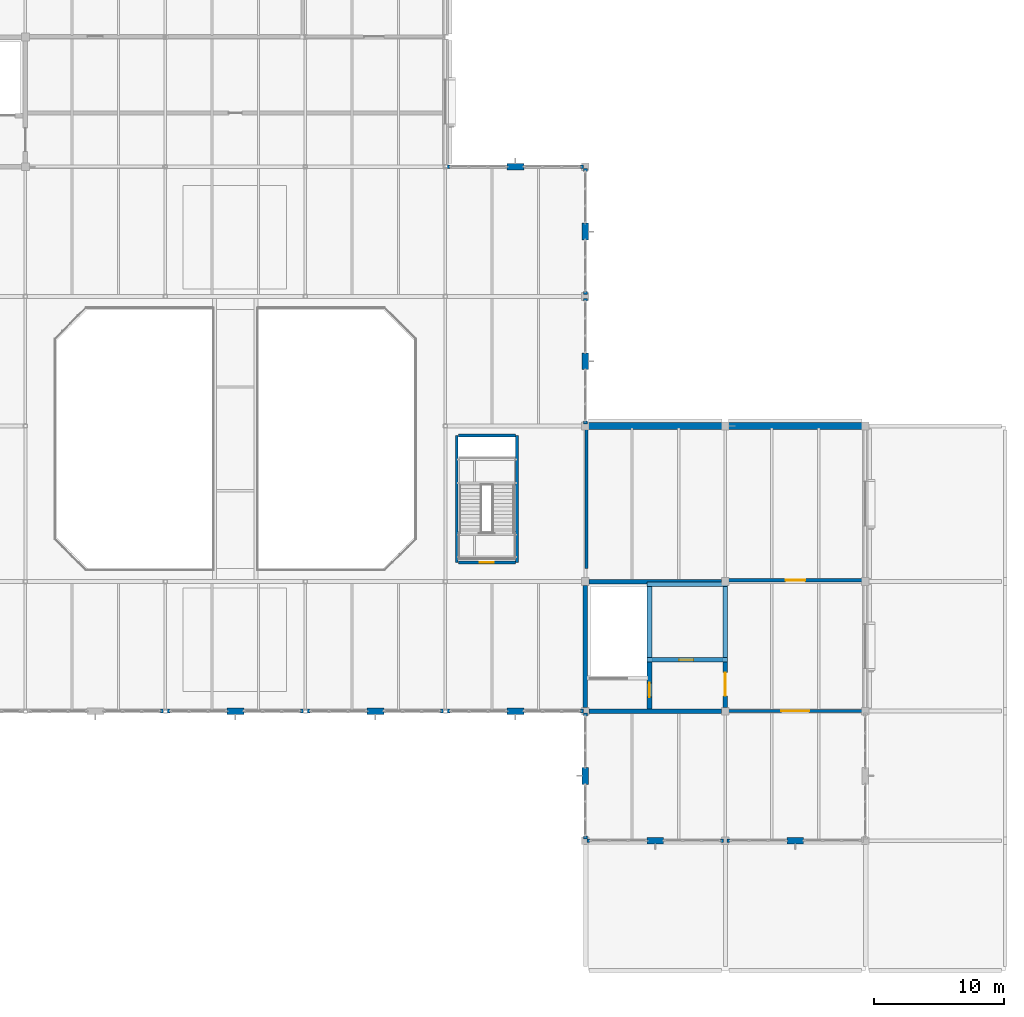
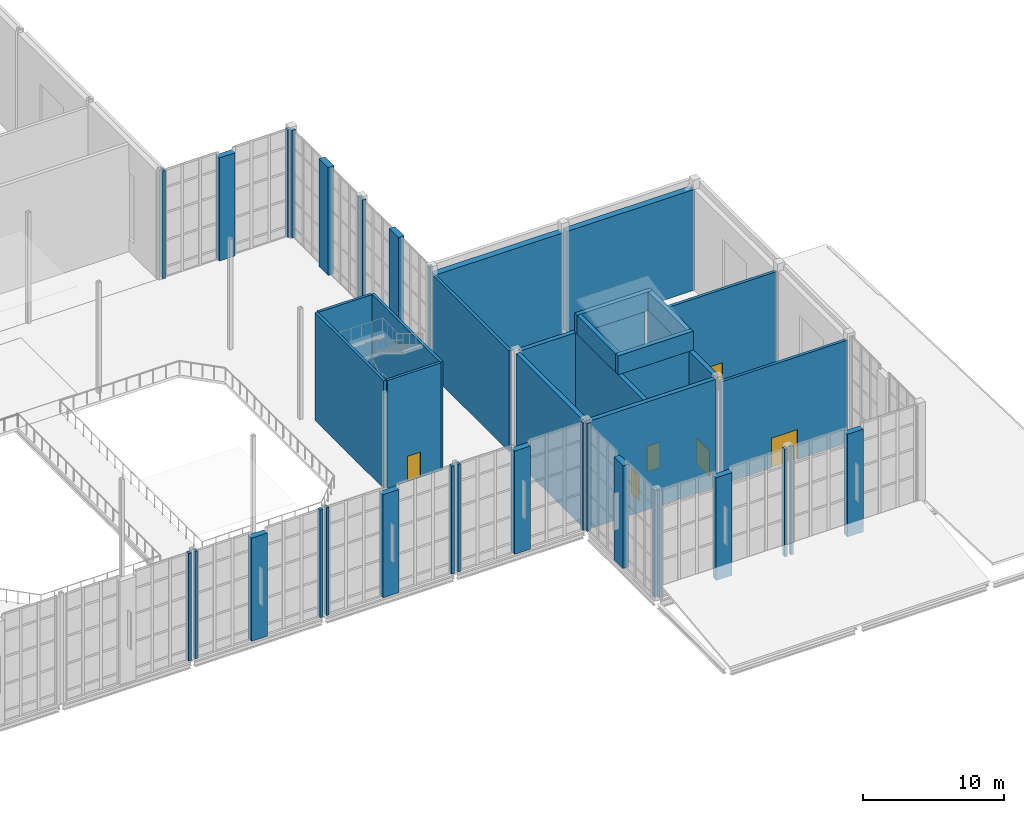
# One storey, part 86 of 100: 46 walls, 6 doors, 6 openings.
"""IFC4 building model written with IfcOpenShell, lengths in metres."""

from ifc_helpers import new_model, si_unit, direction, frame, frame_2d, origin, place, context, subcontext, project, spatial, rectangle, extrude, material, layer, layer_set, type_object, element, fill, save


model = new_model("IFC4")

# Units and contexts
model_context = context("Model", 3, precision=1e-05, world=origin(), true_north=direction((0.0, 1.0)))
body_context = subcontext(model_context, "Body", "Model", "MODEL_VIEW")
ifc_project = project(units=[si_unit("LENGTHUNIT", "METRE"), si_unit("AREAUNIT", "SQUARE_METRE"), si_unit("VOLUMEUNIT", "CUBIC_METRE"), si_unit("PLANEANGLEUNIT", "RADIAN"), si_unit("MASSUNIT", "GRAM", prefix="KILO")], contexts=[model_context])

# Site, building, storey
site_placement = place(None, origin())
site = spatial("IfcSite", under=ifc_project, at=site_placement, CompositionType="ELEMENT")
building_placement = place(site_placement, origin())
building = spatial("IfcBuilding", under=site, at=building_placement, Name="Tasgan Crest Museum", CompositionType="ELEMENT")
storey_placement = place(building_placement, frame((0.0, 0.0, 14.39990234375)))
storey = spatial("IfcBuildingStorey", under=building, at=storey_placement, Name="L03", CompositionType="ELEMENT", Elevation=14.39990234375)

# Walls
ifc_material_1 = material(Name="Concrete C40/50", Category="concrete")
ifc_layer_1 = layer(ifc_material_1, 0.35009765625, Name="WL-CORE-350")
ifc_layer_set_1 = layer_set([ifc_layer_1], Name="Concrete C40/50")
wall_type_1 = type_object("IfcWallType", Name="WL-CORE-350", PredefinedType="SHEAR", material=ifc_layer_set_1)
for number, where, z_axis, x_axis, name in (
    (1, (108.300048828125, 40.0, 0.0), (0.0, 0.0, 1.0), (1.0, 0.0, 0.0), "East Conservation Core south shear wall L03"),
    (2, (108.300048828125, 50.0, 0.0), (0.0, 0.0, 1.0), (1.0, 0.0, 0.0), "East Conservation Core north shear wall L03"),
):
    element("IfcWall", number, at=place(storey_placement, frame(where, z_axis=z_axis, x_axis=x_axis)), inside=storey, type_object=wall_type_1, Name=name, PredefinedType="SHEAR", context=body_context, shape_type="SweptSolid", body=[
        extrude(rectangle(XDim=10.199951171875, YDim=0.35009765625, at=frame_2d((5.10009765625, 0.0))), origin(), (0.0, 0.0, 1.0), 9.360107421875),
    ])
wall_1_placement = place(storey_placement, frame((108.0, 40.300048828125, 0.0), z_axis=(0.0, 0.0, 1.0), x_axis=(0.0, 1.0, 0.0)))
element("IfcWall", 3, at=wall_1_placement, inside=storey, type_object=wall_type_1, Name="East Conservation Core west shear wall L03", PredefinedType="SHEAR", context=body_context, shape_type="SweptSolid", body=[
    extrude(rectangle(XDim=9.39990234375, YDim=0.35009765625, at=frame_2d((4.699951171875, 0.0))), origin(), (0.0, 0.0, 1.0), 9.360107421875),
])

# Wall, opening, door
wall_2_placement = place(storey_placement, frame((118.800048828125, 40.300048828125, 0.0), z_axis=(0.0, 0.0, 1.0), x_axis=(0.0, 1.0, 0.0)))
wall_2 = element("IfcWall", 4, at=wall_2_placement, inside=storey, type_object=wall_type_1, Name="East Conservation Core east shear wall L03", PredefinedType="SHEAR", context=body_context, shape_type="SweptSolid", body=[
    extrude(rectangle(XDim=9.39990234375, YDim=0.35009765625, at=frame_2d((4.699951171875, 0.0))), origin(), (0.0, 0.0, 1.0), 9.360107421875),
])
opening_1_placement = place(wall_2_placement, frame((0.8798828125, 0.0, 0.0)))
opening_1 = element("IfcOpeningElement", 5, at=opening_1_placement, cuts=wall_2, Name="Opening LD-SE-L03", PredefinedType="OPENING", context=body_context, shape_type="SweptSolid", body=[
    extrude(rectangle(XDim=1.800048828125, YDim=2.25, at=frame_2d((0.89990234375, 1.125))), frame((0.0, 0.18505859375, 0.0), z_axis=(0.0, -1.0, 0.0), x_axis=(1.0, 0.0, 0.0)), (0.0, 0.0, 1.0), 0.3701171875),
])
ifc_material_2 = material(Name="Fire-Rated Double Lobby Door")
door_type_1 = type_object("IfcDoorType", Name="DR-FD2-1800", OperationType="NOTDEFINED", PredefinedType="DOOR", material=ifc_material_2)
door_1_placement = place(opening_1_placement, origin())
door_1 = element("IfcDoor", 6, at=door_1_placement, inside=storey, type_object=door_type_1, Name="East Conservation Core lobby door L03", OperationType="DOUBLE_DOOR_SINGLE_SWING", OverallHeight=2.25, OverallWidth=1.800048828125, PredefinedType="DOOR", context=body_context, shape_type="SweptSolid", body=[
    extrude(rectangle(XDim=1.800048828125, YDim=2.25, at=frame_2d((0.89990234375, 1.125))), frame((0.0, 0.02490234375, 0.0), z_axis=(0.0, -1.0, 0.0), x_axis=(1.0, 0.0, 0.0)), (0.0, 0.0, 1.0), 0.050048828125),
])
fill(opening_1, door_1)

wall_3_placement = place(storey_placement, frame((112.949951171875, 40.175048828125, 0.0), z_axis=(0.0, 0.0, 1.0), x_axis=(0.0, 1.0, 0.0)))
wall_3 = element("IfcWall", 7, at=wall_3_placement, inside=storey, type_object=wall_type_1, Name="East Conservation Core stair-lobby shear wall L03", PredefinedType="SHEAR", context=body_context, shape_type="SweptSolid", body=[
    extrude(rectangle(XDim=9.64990234375, YDim=0.35009765625, at=frame_2d((4.824951171875, 0.0))), origin(), (0.0, 0.0, 1.0), 9.360107421875),
])
opening_2_placement = place(wall_3_placement, frame((0.89990234375, 0.0, 0.0)))
opening_2 = element("IfcOpeningElement", 8, at=opening_2_placement, cuts=wall_3, Name="Opening SD-SE-L03", PredefinedType="OPENING", context=body_context, shape_type="SweptSolid", body=[
    extrude(rectangle(XDim=1.10009765625, YDim=2.199951171875, at=frame_2d((0.550048828125, 1.10009765625))), frame((0.0, 0.18505859375, 0.0), z_axis=(0.0, -1.0, 0.0), x_axis=(1.0, 0.0, 0.0)), (0.0, 0.0, 1.0), 0.3701171875),
])
ifc_material_3 = material(Name="Fire-Rated Steel Door", Category="steel")
door_type_2 = type_object("IfcDoorType", Name="DR-FD1-1100", OperationType="NOTDEFINED", PredefinedType="DOOR", material=ifc_material_3)
door_2_placement = place(opening_2_placement, origin())
door_2 = element("IfcDoor", 9, at=door_2_placement, inside=storey, type_object=door_type_2, Name="East Conservation Core stair door L03", OperationType="SINGLE_SWING_RIGHT", OverallHeight=2.199951171875, OverallWidth=1.10009765625, PredefinedType="DOOR", context=body_context, shape_type="SweptSolid", body=[
    extrude(rectangle(XDim=1.10009765625, YDim=2.199951171875, at=frame_2d((0.550048828125, 1.10009765625))), frame((0.0, 0.02490234375, 0.0), z_axis=(0.0, -1.0, 0.0), x_axis=(1.0, 0.0, 0.0)), (0.0, 0.0, 1.0), 0.050048828125),
])
fill(opening_2, door_2)

wall_4_placement = place(storey_placement, frame((113.1298828125, 43.949951171875, 0.0), z_axis=(0.0, 0.0, 1.0), x_axis=(1.0, 0.0, 0.0)))
wall_4 = element("IfcWall", 10, at=wall_4_placement, inside=storey, type_object=wall_type_1, Name="East Conservation Core lift-shaft wall L03", PredefinedType="SHEAR", context=body_context, shape_type="SweptSolid", body=[
    extrude(rectangle(XDim=5.490234375, YDim=0.35009765625, at=frame_2d((2.7451171875, 0.0))), origin(), (0.0, 0.0, 1.0), 9.360107421875),
])
opening_3_placement = place(wall_4_placement, frame((2.10009765625, 0.0, 0.0)))
opening_3 = element("IfcOpeningElement", 11, at=opening_3_placement, cuts=wall_4, Name="Opening LD-PL2", PredefinedType="OPENING", context=body_context, shape_type="SweptSolid", body=[
    extrude(rectangle(XDim=1.10009765625, YDim=2.199951171875, at=frame_2d((0.550048828125, 1.10009765625))), frame((0.0, 0.18505859375, 0.0), z_axis=(0.0, -1.0, 0.0), x_axis=(1.0, 0.0, 0.0)), (0.0, 0.0, 1.0), 0.3701171875),
])
ifc_material_4 = material(Name="Brushed Bronze Passenger Lift Landing Door")
door_type_3 = type_object("IfcDoorType", Name="LD-PAX-1100", OperationType="NOTDEFINED", PredefinedType="DOOR", material=ifc_material_4)
door_3_placement = place(opening_3_placement, origin())
door_3 = element("IfcDoor", 12, at=door_3_placement, inside=storey, type_object=door_type_3, Name="Lift landing sliding door PL2 L03", OperationType="DOUBLE_DOOR_SLIDING", OverallHeight=2.199951171875, OverallWidth=1.10009765625, PredefinedType="DOOR", context=body_context, shape_type="SweptSolid", body=[
    extrude(rectangle(XDim=1.10009765625, YDim=2.199951171875, at=frame_2d((0.550048828125, 1.10009765625))), frame((0.0, 0.02490234375, 0.0), z_axis=(0.0, -1.0, 0.0), x_axis=(1.0, 0.0, 0.0)), (0.0, 0.0, 1.0), 0.050048828125),
])
fill(opening_3, door_3)

# Walls
for number, where, z_axis, x_axis, name in (
    (13, (112.77490234375, 43.949951171875, 9.360107421875), (0.0, 0.0, 1.0), (1.0, 0.0, 0.0), "East Conservation Core lift overrun wall S"),
    (14, (112.77490234375, 49.780029296875, 9.360107421875), (0.0, 0.0, 1.0), (1.0, 0.0, 0.0), "East Conservation Core lift overrun wall N"),
):
    element("IfcWall", number, at=place(storey_placement, frame(where, z_axis=z_axis, x_axis=x_axis)), inside=storey, type_object=wall_type_1, Name=name, PredefinedType="SHEAR", context=body_context, shape_type="SweptSolid", body=[
        extrude(rectangle(XDim=6.2001953125, YDim=0.35009765625, at=frame_2d((3.10009765625, 0.0))), origin(), (0.0, 0.0, 1.0), 1.639892578125),
    ])
for number, where, z_axis, x_axis, name in (
    (15, (112.949951171875, 44.125, 9.360107421875), (0.0, 0.0, 1.0), (0.0, 1.0, 0.0), "East Conservation Core lift overrun wall W"),
    (16, (118.800048828125, 44.125, 9.360107421875), (0.0, 0.0, 1.0), (0.0, 1.0, 0.0), "East Conservation Core lift overrun wall E"),
):
    element("IfcWall", number, at=place(storey_placement, frame(where, z_axis=z_axis, x_axis=x_axis)), inside=storey, type_object=wall_type_1, Name=name, PredefinedType="SHEAR", context=body_context, shape_type="SweptSolid", body=[
        extrude(rectangle(XDim=5.47998046875, YDim=0.35009765625, at=frame_2d((2.739990234375, 0.0))), origin(), (0.0, 0.0, 1.0), 1.639892578125),
    ])
ifc_material_5 = material(Name="Precast concrete C40/50", Category="concrete")
ifc_layer_2 = layer(ifc_material_5, 0.320068359375, Name="WL-EXT-CLER-320")
ifc_layer_set_2 = layer_set([ifc_layer_2], Name="Precast concrete C40/50")
wall_type_2 = type_object("IfcWallType", Name="WL-EXT-CLER-320", PredefinedType="STANDARD", material=ifc_layer_set_2)
for number, where, z_axis, x_axis, name in (
    (17, (108.0, 39.85498046875, 0.0), (0.0, 0.0, 1.0), (0.0, -1.0, 0.0), "Curtain wall jamb closure L03 JL"),
    (18, (108.0, 30.3701171875, 0.0), (0.0, 0.0, 1.0), (0.0, -1.0, 0.0), "Curtain wall jamb closure L03 JR"),
    (19, (108.14501953125, 30.0, 0.0), (0.0, 0.0, 1.0), (1.0, 0.0, 0.0), "Curtain wall jamb closure L03 JL"),
    (20, (118.429931640625, 30.0, 0.0), (0.0, 0.0, 1.0), (1.0, 0.0, 0.0), "Curtain wall jamb closure L03 JR"),
):
    element("IfcWall", number, at=place(storey_placement, frame(where, z_axis=z_axis, x_axis=x_axis)), inside=storey, type_object=wall_type_2, Name=name, PredefinedType="STANDARD", context=body_context, shape_type="SweptSolid", body=[
        extrude(rectangle(XDim=0.22509765625, YDim=0.300048828125, at=frame_2d((0.112548828125, 0.0))), origin(), (0.0, 0.0, 1.0), 9.360107421875),
    ])
wall_5_placement = place(storey_placement, frame((118.945068359375, 30.0, 0.0), z_axis=(0.0, 0.0, 1.0), x_axis=(1.0, 0.0, 0.0)))
element("IfcWall", 21, at=wall_5_placement, inside=storey, type_object=wall_type_2, Name="Curtain wall jamb closure L03 JL", PredefinedType="STANDARD", context=body_context, shape_type="SweptSolid", body=[
    extrude(rectangle(XDim=0.224853515625, YDim=0.300048828125, at=frame_2d((0.1123046875, 0.0))), origin(), (0.0, 0.0, 1.0), 9.360107421875),
])
for number, where, z_axis, x_axis, name in (
    (22, (108.0, 62.14501953125, 0.0), (0.0, 0.0, 1.0), (0.0, 1.0, 0.0), "Curtain wall jamb closure L03 JL"),
    (23, (108.0, 71.6298828125, 0.0), (0.0, 0.0, 1.0), (0.0, 1.0, 0.0), "Curtain wall jamb closure L03 JR"),
    (24, (108.0, 72.14501953125, 0.0), (0.0, 0.0, 1.0), (0.0, 1.0, 0.0), "Curtain wall jamb closure L03 JL"),
    (25, (108.0, 81.6298828125, 0.0), (0.0, 0.0, 1.0), (0.0, 1.0, 0.0), "Curtain wall jamb closure L03 JR"),
    (26, (107.85498046875, 82.0, 0.0), (0.0, 0.0, 1.0), (-1.0, 0.0, 0.0), "Curtain wall jamb closure L03 JL"),
    (27, (97.570068359375, 82.0, 0.0), (0.0, 0.0, 1.0), (-1.0, 0.0, 0.0), "Curtain wall jamb closure L03 JR"),
    (28, (75.22998046875, 40.0, 0.0), (0.0, 0.0, 1.0), (1.0, 0.0, 0.0), "Curtain wall jamb closure L03 JR"),
):
    element("IfcWall", number, at=place(storey_placement, frame(where, z_axis=z_axis, x_axis=x_axis)), inside=storey, type_object=wall_type_2, Name=name, PredefinedType="STANDARD", context=body_context, shape_type="SweptSolid", body=[
        extrude(rectangle(XDim=0.22509765625, YDim=0.300048828125, at=frame_2d((0.112548828125, 0.0))), origin(), (0.0, 0.0, 1.0), 9.360107421875),
    ])
for number, where, z_axis, x_axis, name in (
    (29, (75.7451171875, 40.0, 0.0), (0.0, 0.0, 1.0), (1.0, 0.0, 0.0), "Curtain wall jamb closure L03 JL"),
    (30, (86.030029296875, 40.0, 0.0), (0.0, 0.0, 1.0), (1.0, 0.0, 0.0), "Curtain wall jamb closure L03 JR"),
):
    element("IfcWall", number, at=place(storey_placement, frame(where, z_axis=z_axis, x_axis=x_axis)), inside=storey, type_object=wall_type_2, Name=name, PredefinedType="STANDARD", context=body_context, shape_type="SweptSolid", body=[
        extrude(rectangle(XDim=0.224853515625, YDim=0.300048828125, at=frame_2d((0.1123046875, 0.0))), origin(), (0.0, 0.0, 1.0), 9.360107421875),
    ])
wall_6_placement = place(storey_placement, frame((86.544921875, 40.0, 0.0), z_axis=(0.0, 0.0, 1.0), x_axis=(1.0, 0.0, 0.0)))
element("IfcWall", 31, at=wall_6_placement, inside=storey, type_object=wall_type_2, Name="Curtain wall jamb closure L03 JL", PredefinedType="STANDARD", context=body_context, shape_type="SweptSolid", body=[
    extrude(rectangle(XDim=0.22509765625, YDim=0.300048828125, at=frame_2d((0.112548828125, 0.0))), origin(), (0.0, 0.0, 1.0), 9.360107421875),
])
wall_7_placement = place(storey_placement, frame((96.830078125, 40.0, 0.0), z_axis=(0.0, 0.0, 1.0), x_axis=(1.0, 0.0, 0.0)))
element("IfcWall", 32, at=wall_7_placement, inside=storey, type_object=wall_type_2, Name="Curtain wall jamb closure L03 JR", PredefinedType="STANDARD", context=body_context, shape_type="SweptSolid", body=[
    extrude(rectangle(XDim=0.224853515625, YDim=0.300048828125, at=frame_2d((0.1123046875, 0.0))), origin(), (0.0, 0.0, 1.0), 9.360107421875),
])
for number, where, z_axis, x_axis, name in (
    (33, (97.344970703125, 40.0, 0.0), (0.0, 0.0, 1.0), (1.0, 0.0, 0.0), "Curtain wall jamb closure L03 JL"),
    (34, (107.6298828125, 40.0, 0.0), (0.0, 0.0, 1.0), (1.0, 0.0, 0.0), "Curtain wall jamb closure L03 JR"),
):
    element("IfcWall", number, at=place(storey_placement, frame(where, z_axis=z_axis, x_axis=x_axis)), inside=storey, type_object=wall_type_2, Name=name, PredefinedType="STANDARD", context=body_context, shape_type="SweptSolid", body=[
        extrude(rectangle(XDim=0.22509765625, YDim=0.300048828125, at=frame_2d((0.112548828125, 0.0))), origin(), (0.0, 0.0, 1.0), 9.360107421875),
    ])
ifc_material_6 = material(Name="Precast concrete C40/50", Category="concrete")
ifc_layer_3 = layer(ifc_material_6, 0.47998046875, Name="WL-EXT-GRAN-480")
ifc_layer_set_3 = layer_set([ifc_layer_3], Name="Precast concrete C40/50")
wall_type_3 = type_object("IfcWallType", Name="WL-EXT-GRAN-480", PredefinedType="STANDARD", material=ifc_layer_set_3)
wall_8_placement = place(storey_placement, frame((108.0, 35.64990234375, 0.0), z_axis=(0.0, 0.0, 1.0), x_axis=(0.0, -1.0, 0.0)))
element("IfcWall", 35, at=wall_8_placement, inside=storey, type_object=wall_type_3, Name="Postmodern facade stone pier L03", PredefinedType="STANDARD", context=body_context, shape_type="SweptSolid", body=[
    extrude(rectangle(XDim=1.2998046875, YDim=0.47998046875, at=frame_2d((0.64990234375, 0.0))), origin(), (0.0, 0.0, 1.0), 8.92919921875),
])
for number, where, z_axis, x_axis, name in (
    (36, (112.75, 30.0, 0.0), (0.0, 0.0, 1.0), (1.0, 0.0, 0.0), "Postmodern facade stone pier L03"),
    (37, (123.550048828125, 30.0, 0.0), (0.0, 0.0, 1.0), (1.0, 0.0, 0.0), "Postmodern facade stone pier L03"),
):
    element("IfcWall", number, at=place(storey_placement, frame(where, z_axis=z_axis, x_axis=x_axis)), inside=storey, type_object=wall_type_3, Name=name, PredefinedType="STANDARD", context=body_context, shape_type="SweptSolid", body=[
        extrude(rectangle(XDim=1.300048828125, YDim=0.47998046875, at=frame_2d((0.64990234375, 0.0))), origin(), (0.0, 0.0, 1.0), 8.92919921875),
    ])
for number, where, z_axis, x_axis, name in (
    (38, (108.0, 66.35009765625, 0.0), (0.0, 0.0, 1.0), (0.0, 1.0, 0.0), "Postmodern facade stone pier L03"),
    (39, (108.0, 76.35009765625, 0.0), (0.0, 0.0, 1.0), (0.0, 1.0, 0.0), "Postmodern facade stone pier L03"),
):
    element("IfcWall", number, at=place(storey_placement, frame(where, z_axis=z_axis, x_axis=x_axis)), inside=storey, type_object=wall_type_3, Name=name, PredefinedType="STANDARD", context=body_context, shape_type="SweptSolid", body=[
        extrude(rectangle(XDim=1.2998046875, YDim=0.47998046875, at=frame_2d((0.64990234375, 0.0))), origin(), (0.0, 0.0, 1.0), 9.360107421875),
    ])
wall_9_placement = place(storey_placement, frame((103.25, 82.0, 0.0), z_axis=(0.0, 0.0, 1.0), x_axis=(-1.0, 0.0, 0.0)))
element("IfcWall", 40, at=wall_9_placement, inside=storey, type_object=wall_type_3, Name="Postmodern facade stone pier L03", PredefinedType="STANDARD", context=body_context, shape_type="SweptSolid", body=[
    extrude(rectangle(XDim=1.300048828125, YDim=0.47998046875, at=frame_2d((0.64990234375, 0.0))), origin(), (0.0, 0.0, 1.0), 8.960205078125),
])
wall_10_placement = place(storey_placement, frame((80.35009765625, 40.0, 0.0), z_axis=(0.0, 0.0, 1.0), x_axis=(1.0, 0.0, 0.0)))
element("IfcWall", 41, at=wall_10_placement, inside=storey, type_object=wall_type_3, Name="Postmodern facade stone pier L03", PredefinedType="STANDARD", context=body_context, shape_type="SweptSolid", body=[
    extrude(rectangle(XDim=1.2998046875, YDim=0.47998046875, at=frame_2d((0.64990234375, 0.0))), origin(), (0.0, 0.0, 1.0), 8.960205078125),
])
for number, where, z_axis, x_axis, name in (
    (42, (91.14990234375, 40.0, 0.0), (0.0, 0.0, 1.0), (1.0, 0.0, 0.0), "Postmodern facade stone pier L03"),
    (43, (101.949951171875, 40.0, 0.0), (0.0, 0.0, 1.0), (1.0, 0.0, 0.0), "Postmodern facade stone pier L03"),
):
    element("IfcWall", number, at=place(storey_placement, frame(where, z_axis=z_axis, x_axis=x_axis)), inside=storey, type_object=wall_type_3, Name=name, PredefinedType="STANDARD", context=body_context, shape_type="SweptSolid", body=[
        extrude(rectangle(XDim=1.300048828125, YDim=0.47998046875, at=frame_2d((0.64990234375, 0.0))), origin(), (0.0, 0.0, 1.0), 8.960205078125),
    ])
ifc_material_7 = material(Name="Concrete C40/50", Category="concrete")
ifc_layer_4 = layer(ifc_material_7, 0.52001953125, Name="WL-EXT-VAULT-520")
ifc_layer_set_4 = layer_set([ifc_layer_4], Name="Concrete C40/50")
wall_type_4 = type_object("IfcWallType", Name="WL-EXT-VAULT-520", PredefinedType="SOLIDWALL", material=ifc_layer_set_4)
for number, where, z_axis, x_axis, name in (
    (44, (129.455078125, 62.0, 0.0), (0.0, 0.0, 1.0), (-1.0, 0.0, 0.0), "Exterior wall L03 (124.2,62.0)"),
    (45, (118.655029296875, 62.0, 0.0), (0.0, 0.0, 1.0), (-1.0, 0.0, 0.0), "Exterior wall L03 (113.4,62.0)"),
):
    element("IfcWall", number, at=place(storey_placement, frame(where, z_axis=z_axis, x_axis=x_axis)), inside=storey, type_object=wall_type_4, Name=name, PredefinedType="SOLIDWALL", context=body_context, shape_type="SweptSolid", body=[
        extrude(rectangle(XDim=10.510009765625, YDim=0.52001953125, at=frame_2d((5.2548828125, 0.0))), origin(), (0.0, 0.0, 1.0), 8.760009765625),
    ])

# Wall, opening, door
ifc_material_8 = material(Name="Concrete C40/50", Category="concrete")
ifc_layer_5 = layer(ifc_material_8, 0.239990234375, Name="WL-FIRE-240")
ifc_layer_set_5 = layer_set([ifc_layer_5], Name="Concrete C40/50")
wall_type_5 = type_object("IfcWallType", Name="WL-FIRE-240", PredefinedType="SOLIDWALL", material=ifc_layer_set_5)
wall_11_placement = place(storey_placement, frame((118.97998046875, 40.0, 0.0), z_axis=(0.0, 0.0, 1.0), x_axis=(1.0, 0.0, 0.0)))
wall_11 = element("IfcWall", 46, at=wall_11_placement, inside=storey, type_object=wall_type_5, Name="Partition Isotope and Microfossil Conservation Laboratory / Third Floor Archive Corridor L03", PredefinedType="SOLIDWALL", context=body_context, shape_type="SweptSolid", body=[
    extrude(rectangle(XDim=10.43994140625, YDim=0.239990234375, at=frame_2d((5.219970703125, 0.0))), origin(), (0.0, 0.0, 1.0), 8.92919921875),
])
opening_4_placement = place(wall_11_placement, frame((4.14501953125, 0.0, 0.0)))
opening_4 = element("IfcOpeningElement", 47, at=opening_4_placement, cuts=wall_11, Name="Opening D072", PredefinedType="OPENING", context=body_context, shape_type="SweptSolid", body=[
    extrude(rectangle(XDim=2.14990234375, YDim=2.60009765625, at=frame_2d((1.074951171875, 1.300048828125))), frame((0.0, 0.1298828125, 0.0), z_axis=(0.0, -1.0, 0.0), x_axis=(1.0, 0.0, 0.0)), (0.0, 0.0, 1.0), 0.260009765625),
])
ifc_material_9 = material(Name="Oak and Brushed Bronze Acoustic Door")
door_type_4 = type_object("IfcDoorType", Name="DR-SCH-16", OperationType="NOTDEFINED", PredefinedType="DOOR", material=ifc_material_9)
door_4_placement = place(opening_4_placement, origin())
door_4 = element("IfcDoor", 48, at=door_4_placement, inside=storey, type_object=door_type_4, Name="Isotope and Microfossil Conservation Laboratory door D072", OperationType="DOUBLE_DOOR_SINGLE_SWING", OverallHeight=2.60009765625, OverallWidth=2.14990234375, PredefinedType="DOOR", context=body_context, shape_type="SweptSolid", body=[
    extrude(rectangle(XDim=2.14990234375, YDim=2.60009765625, at=frame_2d((1.074951171875, 1.300048828125))), frame((0.0, 0.02490234375, 0.0), z_axis=(0.0, -1.0, 0.0), x_axis=(1.0, 0.0, 0.0)), (0.0, 0.0, 1.0), 0.050048828125),
])
fill(opening_4, door_4)

wall_12_placement = place(storey_placement, frame((118.97998046875, 50.10009765625, 0.0), z_axis=(0.0, 0.0, 1.0), x_axis=(1.0, 0.0, 0.0)))
wall_12 = element("IfcWall", 49, at=wall_12_placement, inside=storey, type_object=wall_type_5, Name="Partition Third Floor Archive Corridor / Type-Specimen Collection Archive 301 L03", PredefinedType="SOLIDWALL", context=body_context, shape_type="SweptSolid", body=[
    extrude(rectangle(XDim=10.43994140625, YDim=0.239990234375, at=frame_2d((5.219970703125, 0.0))), origin(), (0.0, 0.0, 1.0), 8.760009765625),
])
opening_5_placement = place(wall_12_placement, frame((4.469970703125, 0.0, 0.0)))
opening_5 = element("IfcOpeningElement", 50, at=opening_5_placement, cuts=wall_12, Name="Opening D073", PredefinedType="OPENING", context=body_context, shape_type="SweptSolid", body=[
    extrude(rectangle(XDim=1.5, YDim=2.39990234375, at=frame_2d((0.75, 1.199951171875))), frame((0.0, 0.1298828125, 0.0), z_axis=(0.0, -1.0, 0.0), x_axis=(1.0, 0.0, 0.0)), (0.0, 0.0, 1.0), 0.260009765625),
])
ifc_material_10 = material(Name="Insulated Archive Vault Steel Door", Category="steel")
door_type_5 = type_object("IfcDoorType", Name="DR-VAULT-1500", OperationType="NOTDEFINED", PredefinedType="DOOR", material=ifc_material_10)
door_5_placement = place(opening_5_placement, origin())
door_5 = element("IfcDoor", 51, at=door_5_placement, inside=storey, type_object=door_type_5, Name="Type-Specimen Collection Archive 301 door D073", OperationType="SINGLE_SWING_RIGHT", OverallHeight=2.39990234375, OverallWidth=1.5, PredefinedType="DOOR", context=body_context, shape_type="SweptSolid", body=[
    extrude(rectangle(XDim=1.5, YDim=2.39990234375, at=frame_2d((0.75, 1.199951171875))), frame((0.0, 0.02490234375, 0.0), z_axis=(0.0, -1.0, 0.0), x_axis=(1.0, 0.0, 0.0)), (0.0, 0.0, 1.0), 0.050048828125),
])
fill(opening_5, door_5)

# Walls
wall_13_placement = place(storey_placement, frame((108.10009765625, 51.0, 0.0), z_axis=(0.0, 0.0, 1.0), x_axis=(0.0, 1.0, 0.0)))
element("IfcWall", 52, at=wall_13_placement, inside=storey, type_object=wall_type_5, Name="Partition East Atrium Bridge Promenade / Type-Specimen Collection Archive 301 L03", PredefinedType="SOLIDWALL", context=body_context, shape_type="SweptSolid", body=[
    extrude(rectangle(XDim=10.820068359375, YDim=0.239990234375, at=frame_2d((5.41015625, 0.0))), origin(), (0.0, 0.0, 1.0), 8.7490234375),
])
ifc_material_11 = material(Name="Concrete C40/50", Category="concrete")
ifc_layer_6 = layer(ifc_material_11, 0.219970703125, Name="WL-SHAFT-220")
ifc_layer_set_6 = layer_set([ifc_layer_6], Name="Concrete C40/50")
wall_type_6 = type_object("IfcWallType", Name="WL-SHAFT-220", PredefinedType="SHEAR", material=ifc_layer_set_6)
for number, where, z_axis, x_axis, name in (
    (53, (98.080078125, 51.47998046875, 0.0), (0.0, 0.0, 1.0), (0.0, 1.0, 0.0), "ATRIUM stairwell wall L03 W"),
    (54, (102.719970703125, 51.47998046875, 0.0), (0.0, 0.0, 1.0), (0.0, 1.0, 0.0), "ATRIUM stairwell wall L03 E"),
):
    element("IfcWall", number, at=place(storey_placement, frame(where, z_axis=z_axis, x_axis=x_axis)), inside=storey, type_object=wall_type_6, Name=name, PredefinedType="SHEAR", context=body_context, shape_type="SweptSolid", body=[
        extrude(rectangle(XDim=9.7900390625, YDim=0.219970703125, at=frame_2d((4.89501953125, 0.0))), origin(), (0.0, 0.0, 1.0), 9.360107421875),
    ])
wall_14_placement = place(storey_placement, frame((98.199951171875, 61.27001953125, 0.0), z_axis=(0.0, 0.0, 1.0), x_axis=(1.0, 0.0, 0.0)))
element("IfcWall", 55, at=wall_14_placement, inside=storey, type_object=wall_type_6, Name="ATRIUM stairwell wall L03 N", PredefinedType="SHEAR", context=body_context, shape_type="SweptSolid", body=[
    extrude(rectangle(XDim=4.400146484375, YDim=0.219970703125, at=frame_2d((2.2001953125, 0.0))), origin(), (0.0, 0.0, 1.0), 9.360107421875),
])

# Wall, opening, door
wall_15_placement = place(storey_placement, frame((98.199951171875, 51.47998046875, 0.0), z_axis=(0.0, 0.0, 1.0), x_axis=(1.0, 0.0, 0.0)))
wall_15 = element("IfcWall", 56, at=wall_15_placement, inside=storey, type_object=wall_type_6, Name="ATRIUM stairwell wall L03 S", PredefinedType="SHEAR", context=body_context, shape_type="SweptSolid", body=[
    extrude(rectangle(XDim=4.400146484375, YDim=0.219970703125, at=frame_2d((2.2001953125, 0.0))), origin(), (0.0, 0.0, 1.0), 9.360107421875),
])
opening_6_placement = place(wall_15_placement, frame((1.64990234375, 0.0, 0.0)))
opening_6 = element("IfcOpeningElement", 57, at=opening_6_placement, cuts=wall_15, Name="Opening SD-AT-L03", PredefinedType="OPENING", context=body_context, shape_type="SweptSolid", body=[
    extrude(rectangle(XDim=1.10009765625, YDim=2.199951171875, at=frame_2d((0.550048828125, 1.10009765625))), frame((0.0, 0.119873046875, 0.0), z_axis=(0.0, -1.0, 0.0), x_axis=(1.0, 0.0, 0.0)), (0.0, 0.0, 1.0), 0.239990234375),
])
door_6_placement = place(opening_6_placement, origin())
door_6 = element("IfcDoor", 58, at=door_6_placement, inside=storey, type_object=door_type_2, Name="ATRIUM protected stair door L03", OperationType="SINGLE_SWING_RIGHT", OverallHeight=2.199951171875, OverallWidth=1.10009765625, PredefinedType="DOOR", context=body_context, shape_type="SweptSolid", body=[
    extrude(rectangle(XDim=1.10009765625, YDim=2.199951171875, at=frame_2d((0.550048828125, 1.10009765625))), frame((0.0, 0.02490234375, 0.0), z_axis=(0.0, -1.0, 0.0), x_axis=(1.0, 0.0, 0.0)), (0.0, 0.0, 1.0), 0.050048828125),
])
fill(opening_6, door_6)

save(model, "model.ifc")
